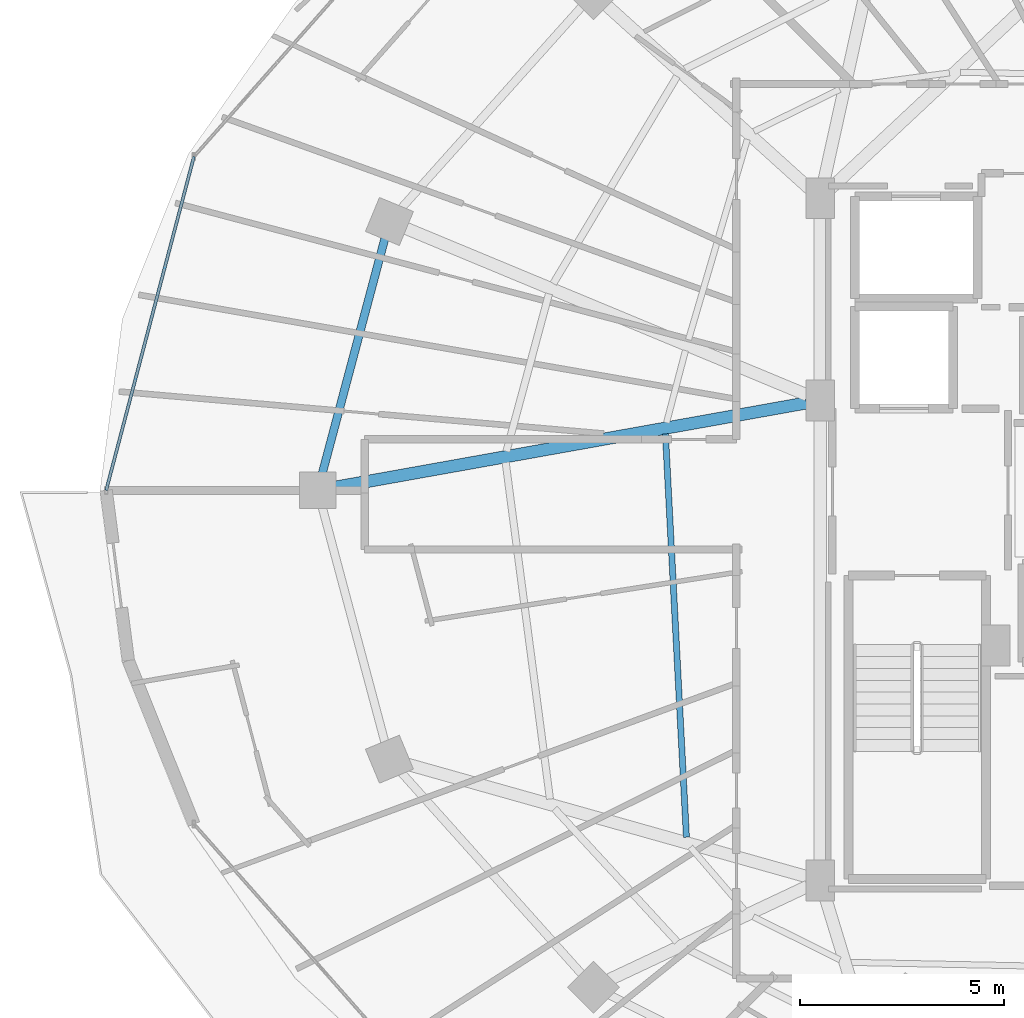
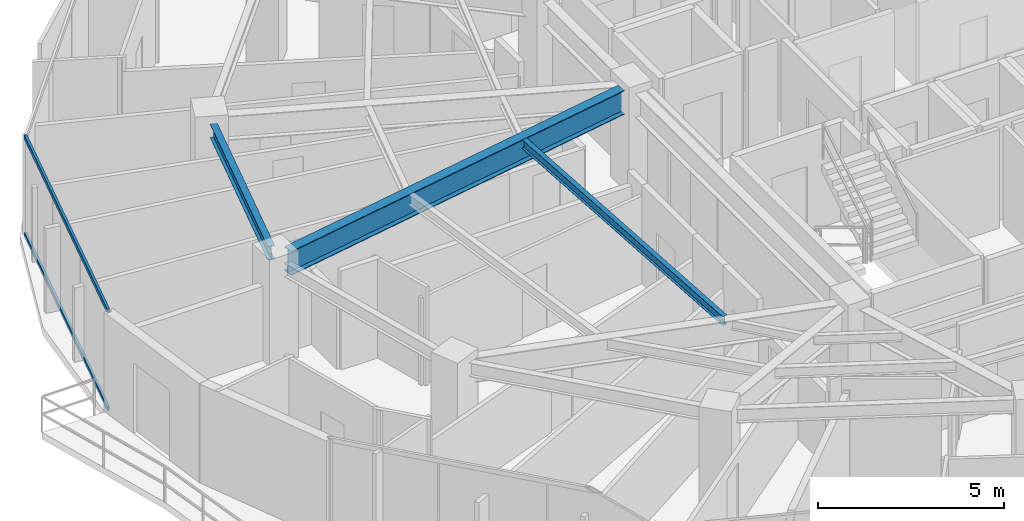
# One storey, part 8 of 34: 3 beams, 2 members, 1 element without a shape of its own.
"""IFC4 building model written with IfcOpenShell, lengths in metres."""

from ifc_helpers import new_model, si_unit, direction, frame, origin, origin_2d, place, context, subcontext, project, spatial, hollow_rectangle, i_section, extrude, material, material_profile, profile_set, type_object, element, aggregate, save


model = new_model("IFC4")

# Units and contexts
model_context = context("Model", 3, precision=1e-05, world=origin(), true_north=direction((0.0, 1.0)))
body_context = subcontext(model_context, "Body", "Model", "MODEL_VIEW")
ifc_project = project(units=[si_unit("LENGTHUNIT", "METRE"), si_unit("AREAUNIT", "SQUARE_METRE"), si_unit("VOLUMEUNIT", "CUBIC_METRE"), si_unit("PLANEANGLEUNIT", "RADIAN"), si_unit("MASSUNIT", "GRAM", prefix="KILO")], contexts=[model_context])

# Site, building, storey
site_placement = place(None, origin())
site = spatial("IfcSite", under=ifc_project, at=site_placement, CompositionType="ELEMENT")
building_placement = place(site_placement, origin())
building = spatial("IfcBuilding", under=site, at=building_placement, Name="Vorneva Point Tower", CompositionType="ELEMENT")
storey_placement = place(building_placement, frame((0.0, 0.0, 186.10009765625)))
storey = spatial("IfcBuildingStorey", under=building, at=storey_placement, Name="L50", CompositionType="ELEMENT", Elevation=186.10009765625)

# Beams
ifc_material_1 = material(Name="Steel S355", Category="steel")
ifc_material_profile_1 = material_profile(ifc_material_1, i_section(OverallWidth=0.300048828125, OverallDepth=0.7880859375, WebThickness=0.014404296875, FlangeThickness=0.02197265625, at=origin_2d()), Name="80Sh1")
ifc_profile_set_1 = profile_set([ifc_material_profile_1], Name="Steel S355")
beam_type_1 = type_object("IfcBeamType", Name="BM-GRD-80Sh1", PredefinedType="USERDEFINED", material=ifc_profile_set_1)
beam_1_placement = place(storey_placement, frame((15.381103515625, 26.0771484375, 2.845947265625), z_axis=(0.984378602255, 0.176064668298, 0.0), x_axis=(-0.176064668298, 0.984378602255, 0.0)))
element("IfcBeam", 1, at=beam_1_placement, inside=storey, type_object=beam_type_1, Name="L50 Radial Primary Girder 09", ObjectType="GIRDER", PredefinedType="USERDEFINED", context=body_context, shape_type="SweptSolid", body=[
    extrude(i_section(OverallWidth=0.300048828125, OverallDepth=0.7880859375, WebThickness=0.014404296875, FlangeThickness=0.02197265625, at=origin_2d()), origin(), (0.0, 0.0, 1.0), 11.71728515625),
])
ifc_material_profile_2 = material_profile(ifc_material_1, i_section(OverallWidth=0.14892578125, OverallDepth=0.298095703125, WebThickness=0.005615234375, FlangeThickness=0.008056640625, at=origin_2d()), Name="30B1")
ifc_profile_set_2 = profile_set([ifc_material_profile_2], Name="Steel S355")
beam_type_2 = type_object("IfcBeamType", Name="BM-JST-30B1", PredefinedType="JOIST", material=ifc_profile_set_2)
beam_2_placement = place(storey_placement, frame((23.462158203125, 27.38330078125, 3.0908203125), z_axis=(0.052014629383, -0.998646322944, 0.0), x_axis=(0.998646322944, 0.052014629383, 0.0)))
element("IfcBeam", 2, at=beam_2_placement, inside=storey, type_object=beam_type_2, Name="L50 Secondary Floor Beam 2.09", PredefinedType="JOIST", context=body_context, shape_type="SweptSolid", body=[
    extrude(i_section(OverallWidth=0.14892578125, OverallDepth=0.298095703125, WebThickness=0.005615234375, FlangeThickness=0.008056640625, at=origin_2d()), origin(), (0.0, 0.0, 1.0), 9.8896484375),
])
ifc_material_profile_3 = material_profile(ifc_material_1, i_section(OverallWidth=0.198974609375, OverallDepth=0.446044921875, WebThickness=0.008056640625, FlangeThickness=0.011962890625, at=origin_2d()), Name="45B1")
ifc_profile_set_3 = profile_set([ifc_material_profile_3], Name="Steel S355")
beam_type_3 = type_object("IfcBeamType", Name="BM-SPN-45B1", PredefinedType="SPANDREL", material=ifc_profile_set_3)
beam_3_placement = place(storey_placement, frame((16.592529296875, 32.161865234375, 3.016845703125), z_axis=(-0.257578258003, -0.966257440336, 0.0), x_axis=(0.966257440336, -0.257578258003, 0.0)))
element("IfcBeam", 3, at=beam_3_placement, inside=storey, type_object=beam_type_3, Name="L50 Perimeter Spandrel Ring Beam 08", PredefinedType="SPANDREL", context=body_context, shape_type="SweptSolid", body=[
    extrude(i_section(OverallWidth=0.198974609375, OverallDepth=0.446044921875, WebThickness=0.008056640625, FlangeThickness=0.011962890625, at=origin_2d()), origin(), (0.0, 0.0, 1.0), 5.94189453125),
])

# Curtain wall, members
ifc_material_2 = material(Name="Pale anodised aluminium", Category="aluminium")
curtain_wall_type = type_object("IfcCurtainWallType", Name="CW-RES-SYS", PredefinedType="NOTDEFINED", material=ifc_material_2)
curtain_wall_placement = place(storey_placement, origin())
curtain_wall = element("IfcCurtainWall", 4, at=curtain_wall_placement, inside=storey, type_object=curtain_wall_type, Name="L50 Unitised Curtain Wall CW-L50-R02", PredefinedType="NOTDEFINED")
ifc_material_profile_4 = material_profile(ifc_material_2, hollow_rectangle(XDim=0.074951171875, YDim=0.14990234375, WallThickness=0.00390625, at=origin_2d()), Name="AL-TRN 150x75x4")
ifc_profile_set_4 = profile_set([ifc_material_profile_4], Name="Pale anodised aluminium")
member_type = type_object("IfcMemberType", Name="CW-TRN-150", PredefinedType="USERDEFINED", material=ifc_profile_set_4)
member_1_placement = place(storey_placement, frame((11.9189453125, 34.17041015625, 0.02001953125), z_axis=(-0.254362431281, -0.967108966742, 0.0), x_axis=(0.967108966742, -0.254362431281, 0.0)))
member_1 = element("IfcMember", 5, at=member_1_placement, type_object=member_type, Name="CW-L50-R02 Transom 02.1", ObjectType="TRANSOM", PredefinedType="USERDEFINED", context=body_context, shape_type="SweptSolid", body=[
    extrude(hollow_rectangle(XDim=0.074951171875, YDim=0.14990234375, WallThickness=0.00390625, at=origin_2d()), origin(), (0.0, 0.0, 1.0), 8.4482421875),
])
member_2_placement = place(storey_placement, frame((11.9189453125, 34.17041015625, 3.219970703125), z_axis=(-0.254362431281, -0.967108966742, 0.0), x_axis=(0.967108966742, -0.254362431281, 0.0)))
member_2 = element("IfcMember", 6, at=member_2_placement, type_object=member_type, Name="CW-L50-R02 Transom 02.2", ObjectType="TRANSOM", PredefinedType="USERDEFINED", context=body_context, shape_type="SweptSolid", body=[
    extrude(hollow_rectangle(XDim=0.074951171875, YDim=0.14990234375, WallThickness=0.00390625, at=origin_2d()), origin(), (0.0, 0.0, 1.0), 8.4482421875),
])
aggregate(curtain_wall, [member_1, member_2])

save(model, "model.ifc")
